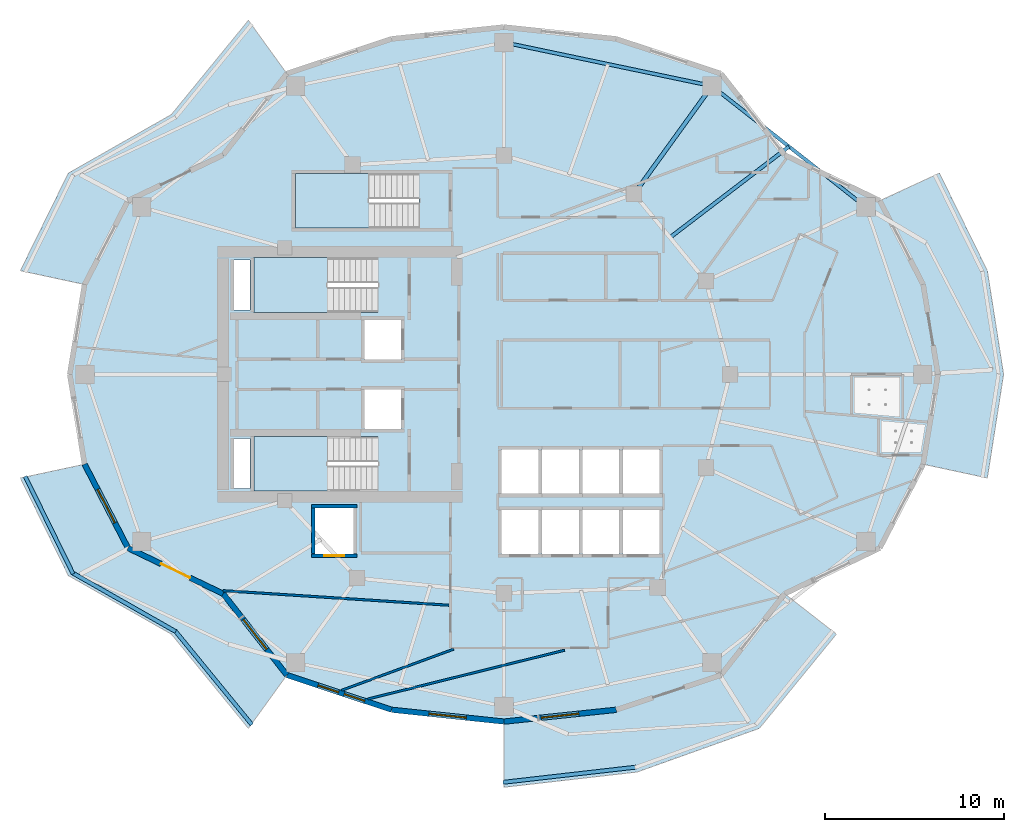
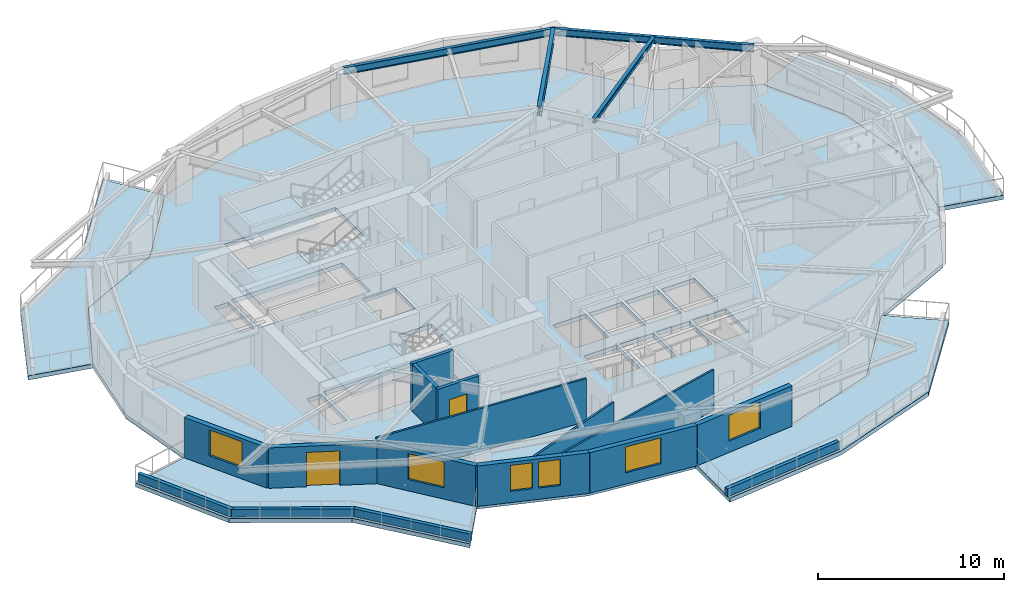
# One storey, part 2 of 14: 16 walls, 8 slabs, 6 windows, 4 beams, 2 doors, 8 openings, 3 elements without a shape of their own.
"""IFC4 building model written with IfcOpenShell, lengths in metres."""

from ifc_helpers import new_model, si_unit, direction, frame, frame_2d, origin, origin_2d, place, context, subcontext, project, spatial, polyline, rectangle, i_section, outline, extrude, material, layer, layer_set, material_profile, profile_set, type_object, element, fill, aggregate, save


model = new_model("IFC4")

# Units and contexts
model_context = context("Model", 3, precision=1e-05, world=origin(), true_north=direction((0.0, 1.0)))
body_context = subcontext(model_context, "Body", "Model", "MODEL_VIEW")
ifc_project = project(units=[si_unit("LENGTHUNIT", "METRE"), si_unit("AREAUNIT", "SQUARE_METRE"), si_unit("VOLUMEUNIT", "CUBIC_METRE"), si_unit("PLANEANGLEUNIT", "RADIAN"), si_unit("MASSUNIT", "GRAM", prefix="KILO")], contexts=[model_context])

# Site, building, storey
site_placement = place(None, origin())
site = spatial("IfcSite", under=ifc_project, at=site_placement, CompositionType="ELEMENT")
building_placement = place(site_placement, origin())
building = spatial("IfcBuilding", under=site, at=building_placement, Name="Kolvaren Gate Tower and Convention Centre", CompositionType="ELEMENT")
storey_placement = place(building_placement, frame((0.0, 0.0, 132.5)))
storey = spatial("IfcBuildingStorey", under=building, at=storey_placement, Name="L33", CompositionType="ELEMENT", Elevation=132.5)

# Beams
ifc_material_1 = material(Name="Structural steel ASTM A992 Grade 345 MPa", Category="steel")
ifc_material_profile_1 = material_profile(ifc_material_1, i_section(OverallWidth=0.22998046875, OverallDepth=0.616943359375, WebThickness=0.01318359375, FlangeThickness=0.022216796875, at=origin_2d()), Name="W610X140")
ifc_profile_set_1 = profile_set([ifc_material_profile_1], Name="Structural steel ASTM A992 Grade 345 MPa")
beam_type_1 = type_object("IfcBeamType", Name="STR-BM-W610X140", PredefinedType="BEAM", material=ifc_profile_set_1)
beam_1_placement = place(storey_placement, frame((37.381591796875, 37.054931640625, 2.821533203125), z_axis=(0.585208050015, 0.810883184064, 0.0), x_axis=(-0.810883184064, 0.585208050015, 0.0)))
element("IfcBeam", 1, at=beam_1_placement, inside=storey, type_object=beam_type_1, Name="Tower L33 Radial Floor Girder RB-03", PredefinedType="BEAM", context=body_context, shape_type="SweptSolid", body=[
    extrude(i_section(OverallWidth=0.22998046875, OverallDepth=0.616943359375, WebThickness=0.01318359375, FlangeThickness=0.022216796875, at=origin_2d()), origin(), (0.0, 0.0, 1.0), 7.416015625),
])
ifc_material_profile_2 = material_profile(ifc_material_1, i_section(OverallWidth=0.205078125, OverallDepth=0.31005859375, WebThickness=0.009521484375, FlangeThickness=0.016357421875, at=origin_2d()), Name="W310X74")
ifc_profile_set_2 = profile_set([ifc_material_profile_2], Name="Structural steel ASTM A992 Grade 345 MPa")
beam_type_2 = type_object("IfcBeamType", Name="STR-JS-W310X74", PredefinedType="JOIST", material=ifc_profile_set_2)
beam_2_placement = place(storey_placement, frame((39.3818359375, 34.627197265625, 2.97509765625), z_axis=(0.79454218325, 0.607208958297, 0.0), x_axis=(-0.607208958297, 0.79454218325, 0.0)))
element("IfcBeam", 2, at=beam_2_placement, inside=storey, type_object=beam_type_2, Name="Tower L33 Secondary Composite Floor Joist J-02.1", PredefinedType="JOIST", context=body_context, shape_type="SweptSolid", body=[
    extrude(i_section(OverallWidth=0.205078125, OverallDepth=0.31005859375, WebThickness=0.009521484375, FlangeThickness=0.016357421875, at=origin_2d()), origin(), (0.0, 0.0, 1.0), 8.34326171875),
])
ifc_material_profile_3 = material_profile(ifc_material_1, i_section(OverallWidth=0.194091796875, OverallDepth=0.468994140625, WebThickness=0.0126953125, FlangeThickness=0.0205078125, at=origin_2d()), Name="W460X106")
ifc_profile_set_3 = profile_set([ifc_material_profile_3], Name="Structural steel ASTM A992 Grade 345 MPa")
beam_type_3 = type_object("IfcBeamType", Name="STR-SP-W460X106", PredefinedType="SPANDREL", material=ifc_profile_set_3)
beam_3_placement = place(storey_placement, frame((50.30029296875, 36.318603515625, 2.8955078125), z_axis=(-0.785907610354, 0.618343939881, 0.0), x_axis=(-0.618343939881, -0.785907610354, 0.0)))
element("IfcBeam", 3, at=beam_3_placement, inside=storey, type_object=beam_type_3, Name="Tower L33 Perimeter Spandrel Beam SP-02", PredefinedType="SPANDREL", context=body_context, shape_type="SweptSolid", body=[
    extrude(i_section(OverallWidth=0.194091796875, OverallDepth=0.468994140625, WebThickness=0.0126953125, FlangeThickness=0.0205078125, at=origin_2d()), origin(), (0.0, 0.0, 1.0), 10.915771484375),
])
beam_4_placement = place(storey_placement, frame((41.721435546875, 43.068359375, 2.8955078125), z_axis=(-0.978714746947, 0.205225349578, 0.0), x_axis=(-0.205225349578, -0.978714746947, 0.0)))
element("IfcBeam", 4, at=beam_4_placement, inside=storey, type_object=beam_type_3, Name="Tower L33 Perimeter Spandrel Beam SP-03", PredefinedType="SPANDREL", context=body_context, shape_type="SweptSolid", body=[
    extrude(i_section(OverallWidth=0.194091796875, OverallDepth=0.468994140625, WebThickness=0.0126953125, FlangeThickness=0.0205078125, at=origin_2d()), origin(), (0.0, 0.0, 1.0), 11.8486328125),
])

# Slabs
ifc_material_2 = material(Name="Concrete C50/60", Category="concrete")
ifc_layer_1 = layer(ifc_material_2, 0.27001953125)
ifc_layer_set_1 = layer_set([ifc_layer_1], Name="Concrete C50/60")
slab_type_1 = type_object("IfcSlabType", Name="STR-SL-BALC-270", PredefinedType="FLOOR", material=ifc_layer_set_1)
slab_1_placement = place(storey_placement, frame((0.0, 0.0, -0.27001953125)))
element("IfcSlab", 5, at=slab_1_placement, inside=storey, type_object=slab_type_1, Name="Tower L33 Planted Balcony Terrace Slab 1 (West)", PredefinedType="FLOOR", context=body_context, shape_type="SweptSolid", body=[
    extrude(outline(polyline([(18.03125, 43.757568359375), (14.481201171875, 39.222900390625), (9.177978515625, 36.675048828125), (6.76171875, 32.008056640625), (3.18310546875, 32.775146484375), (5.855224609375, 38.209716796875), (11.597412109375, 41.476318359375), (15.889404296875, 46.725341796875), (18.03125, 43.757568359375)])), origin(), (0.0, 0.0, 1.0), 0.27001953125),
])
slab_2_placement = place(storey_placement, frame((0.0, 0.0, -0.27001953125)))
element("IfcSlab", 6, at=slab_2_placement, inside=storey, type_object=slab_type_1, Name="Tower L33 Planted Balcony Terrace Slab 2 (West)", PredefinedType="FLOOR", context=body_context, shape_type="SweptSolid", body=[
    extrude(outline(polyline([(6.76171875, 21.991943359375), (9.177978515625, 17.324951171875), (14.481201171875, 14.777099609375), (18.03125, 10.242431640625), (15.889404296875, 7.274658203125), (11.597412109375, 12.523681640625), (5.855224609375, 15.790283203125), (3.18310546875, 21.224853515625), (6.76171875, 21.991943359375)])), origin(), (0.0, 0.0, 1.0), 0.27001953125),
])
slab_3_placement = place(storey_placement, frame((0.0, 0.0, -0.27001953125)))
element("IfcSlab", 7, at=slab_3_placement, inside=storey, type_object=slab_type_1, Name="Tower L33 Planted Balcony Terrace Slab 3 (South)", PredefinedType="FLOOR", context=body_context, shape_type="SweptSolid", body=[
    extrude(outline(polyline([(30.125, 7.64990234375), (36.38525390625, 8.309326171875), (42.21875, 10.242431640625), (45.768798828125, 14.777099609375), (48.652587890625, 12.523681640625), (44.360595703125, 7.274658203125), (37.547607421875, 4.8388671875), (30.125, 3.989990234375), (30.125, 7.64990234375)])), origin(), (0.0, 0.0, 1.0), 0.27001953125),
])
slab_4_placement = place(storey_placement, frame((0.0, 0.0, -0.27001953125)))
element("IfcSlab", 8, at=slab_4_placement, inside=storey, type_object=slab_type_1, Name="Tower L33 Planted Balcony Terrace Slab 4 (East)", PredefinedType="FLOOR", context=body_context, shape_type="SweptSolid", body=[
    extrude(outline(polyline([(53.48828125, 21.991943359375), (54.3125, 27.0), (53.48828125, 32.008056640625), (51.072021484375, 36.675048828125), (54.394775390625, 38.209716796875), (57.06689453125, 32.775146484375), (57.972412109375, 27.0), (57.06689453125, 21.224853515625), (53.48828125, 21.991943359375)])), origin(), (0.0, 0.0, 1.0), 0.27001953125),
])
ifc_material_3 = material(Name="Concrete C40/50", Category="concrete")
ifc_layer_2 = layer(ifc_material_3, 0.27001953125)
ifc_layer_set_2 = layer_set([ifc_layer_2], Name="Concrete C40/50")
slab_type_2 = type_object("IfcSlabType", Name="STR-SL-FLR-270", PredefinedType="FLOOR", material=ifc_layer_set_2)
slab_5_placement = place(storey_placement, frame((0.0, 0.0, -0.27001953125)))
element("IfcSlab", 9, at=slab_5_placement, inside=storey, type_object=slab_type_2, Name="Tower L33 Structural Floor Slab", PredefinedType="FLOOR", context=body_context, shape_type="SweptSolid", body=[
    extrude(outline(polyline([(54.3125, 27.0), (53.48828125, 32.008056640625), (51.072021484375, 36.675048828125), (45.768798828125, 39.222900390625), (42.21875, 43.757568359375), (36.38525390625, 45.690673828125), (30.125, 46.35009765625), (23.86474609375, 45.690673828125), (18.03125, 43.757568359375), (14.481201171875, 39.222900390625), (9.177978515625, 36.675048828125), (6.76171875, 32.008056640625), (5.9375, 27.0), (6.76171875, 21.991943359375), (9.177978515625, 17.324951171875), (14.481201171875, 14.777099609375), (18.03125, 10.242431640625), (23.86474609375, 8.309326171875), (30.125, 7.64990234375), (36.38525390625, 8.309326171875), (42.21875, 10.242431640625), (45.768798828125, 14.777099609375), (51.072021484375, 17.324951171875), (53.48828125, 21.991943359375), (54.3125, 27.0)]), holes=[polyline([(36.75, 17.0), (36.75, 19.449951171875), (38.800048828125, 19.449951171875), (38.800048828125, 17.0), (36.75, 17.0)]), polyline([(36.75, 20.35009765625), (36.75, 22.800048828125), (38.800048828125, 22.800048828125), (38.800048828125, 20.35009765625), (36.75, 20.35009765625)]), polyline([(34.5, 17.0), (34.5, 19.449951171875), (36.550048828125, 19.449951171875), (36.550048828125, 17.0), (34.5, 17.0)]), polyline([(34.5, 20.35009765625), (34.5, 22.800048828125), (36.550048828125, 22.800048828125), (36.550048828125, 20.35009765625), (34.5, 20.35009765625)]), polyline([(32.25, 17.0), (32.25, 19.449951171875), (34.300048828125, 19.449951171875), (34.300048828125, 17.0), (32.25, 17.0)]), polyline([(32.25, 20.35009765625), (32.25, 22.800048828125), (34.300048828125, 22.800048828125), (34.300048828125, 20.35009765625), (32.25, 20.35009765625)]), polyline([(30.0, 17.0), (30.0, 19.449951171875), (32.050048828125, 19.449951171875), (32.050048828125, 17.0), (30.0, 17.0)]), polyline([(30.0, 20.35009765625), (30.0, 22.800048828125), (32.050048828125, 22.800048828125), (32.050048828125, 20.35009765625), (30.0, 20.35009765625)]), polyline([(25.39990234375, 38.199951171875), (25.39990234375, 35.159912109375), (18.5, 35.159912109375), (18.5, 38.199951171875), (25.39990234375, 38.199951171875)]), polyline([(22.35009765625, 23.9599609375), (22.35009765625, 26.159912109375), (24.39990234375, 26.159912109375), (24.39990234375, 23.9599609375), (22.35009765625, 23.9599609375)]), polyline([(22.35009765625, 27.840087890625), (22.35009765625, 30.0400390625), (24.39990234375, 30.0400390625), (24.39990234375, 27.840087890625), (22.35009765625, 27.840087890625)]), polyline([(23.10009765625, 23.5400390625), (23.10009765625, 20.5), (16.199951171875, 20.5), (16.199951171875, 23.5400390625), (23.10009765625, 23.5400390625)]), polyline([(23.10009765625, 33.5), (23.10009765625, 30.4599609375), (16.199951171875, 30.4599609375), (16.199951171875, 33.5), (23.10009765625, 33.5)]), polyline([(19.60009765625, 17.0), (19.60009765625, 19.550048828125), (21.75, 19.550048828125), (21.75, 17.0), (19.60009765625, 17.0)]), polyline([(15.080078125, 20.6298828125), (15.080078125, 23.419921875), (15.969970703125, 23.419921875), (15.969970703125, 20.6298828125), (15.080078125, 20.6298828125)]), polyline([(15.080078125, 30.580078125), (15.080078125, 33.3701171875), (15.969970703125, 33.3701171875), (15.969970703125, 30.580078125), (15.080078125, 30.580078125)])]), origin(), (0.0, 0.0, 1.0), 0.27001953125),
])

# Stair, slab
stair_type = type_object("IfcStairType", Name="STR-STAIR-CORE", PredefinedType="HALF_TURN_STAIR", material=ifc_material_2)
stair_1_placement = place(storey_placement, origin())
stair_1 = element("IfcStair", 10, at=stair_1_placement, inside=storey, type_object=stair_type, Name="L33 Tower North Exit Stair ST-T1", PredefinedType="HALF_TURN_STAIR")
ifc_layer_3 = layer(ifc_material_2, 0.199951171875)
ifc_layer_set_3 = layer_set([ifc_layer_3], Name="Concrete C50/60")
slab_type_3 = type_object("IfcSlabType", Name="STR-SL-LAND-200", PredefinedType="LANDING", material=ifc_layer_set_3)
slab_6_placement = place(storey_placement, frame((0.0, 0.0, 1.5)))
slab_6 = element("IfcSlab", 11, at=slab_6_placement, type_object=slab_type_3, Name="ST-T1 landing 1", PredefinedType="LANDING", context=body_context, shape_type="SweptSolid", body=[
    extrude(outline(polyline([(20.31005859375, 33.5), (16.199951171875, 33.5), (16.199951171875, 30.4599609375), (20.31005859375, 30.4599609375), (20.31005859375, 33.5)])), origin(), (0.0, 0.0, 1.0), 0.199951171875),
])
aggregate(stair_1, [slab_6])

stair_2_placement = place(storey_placement, origin())
stair_2 = element("IfcStair", 12, at=stair_2_placement, inside=storey, type_object=stair_type, Name="L33 Tower South Exit Stair ST-T2", PredefinedType="HALF_TURN_STAIR")
slab_7_placement = place(storey_placement, frame((0.0, 0.0, 1.5)))
slab_7 = element("IfcSlab", 13, at=slab_7_placement, type_object=slab_type_3, Name="ST-T2 landing 1", PredefinedType="LANDING", context=body_context, shape_type="SweptSolid", body=[
    extrude(outline(polyline([(20.31005859375, 23.5400390625), (16.199951171875, 23.5400390625), (16.199951171875, 20.5), (20.31005859375, 20.5), (20.31005859375, 23.5400390625)])), origin(), (0.0, 0.0, 1.0), 0.199951171875),
])
aggregate(stair_2, [slab_7])

stair_3_placement = place(storey_placement, origin())
stair_3 = element("IfcStair", 14, at=stair_3_placement, inside=storey, type_object=stair_type, Name="L33 Tower Mid-Zone Exit Stair ST-T3", PredefinedType="HALF_TURN_STAIR")
slab_8_placement = place(storey_placement, frame((0.0, 0.0, 1.5)))
slab_8 = element("IfcSlab", 15, at=slab_8_placement, type_object=slab_type_3, Name="ST-T3 landing 1", PredefinedType="LANDING", context=body_context, shape_type="SweptSolid", body=[
    extrude(outline(polyline([(22.610107421875, 38.199951171875), (18.5, 38.199951171875), (18.5, 35.159912109375), (22.610107421875, 35.159912109375), (22.610107421875, 38.199951171875)])), origin(), (0.0, 0.0, 1.0), 0.199951171875),
])
aggregate(stair_3, [slab_8])

# Walls
ifc_material_4 = material(Name="Fire-Rated Acoustic Gypsum Stud Partition", Category="gypsum")
ifc_layer_4 = layer(ifc_material_4, 0.1201171875)
ifc_layer_set_4 = layer_set([ifc_layer_4], Name="Fire-Rated Acoustic Gypsum Stud Partition")
wall_type_1 = type_object("IfcWallType", Name="ARCH-WL-PART-120", PredefinedType="PARTITIONING", material=ifc_layer_set_4)
wall_1_placement = place(storey_placement, frame((14.479248046875, 14.946533203125, 0.0), z_axis=(0.0, 0.0, 1.0), x_axis=(0.997930277746, -0.064305215633, 0.0)))
element("IfcWall", 16, at=wall_1_placement, inside=storey, type_object=wall_type_1, Name="Interior Partition WL-L33-INT-050", PredefinedType="PARTITIONING", context=body_context, shape_type="SweptSolid", body=[
    extrude(rectangle(XDim=12.619873046875, YDim=0.1201171875, at=frame_2d((6.31005859375, 0.0))), origin(), (0.0, 0.0, 1.0), 2.81201171875),
])
wall_2_placement = place(storey_placement, frame((21.078369140625, 9.392822265625, 0.0), z_axis=(0.0, 0.0, 1.0), x_axis=(0.938728109135, 0.344658580511, 0.0)))
element("IfcWall", 17, at=wall_2_placement, inside=storey, type_object=wall_type_1, Name="Interior Partition WL-L33-INT-051", PredefinedType="PARTITIONING", context=body_context, shape_type="SweptSolid", body=[
    extrude(rectangle(XDim=6.6591796875, YDim=0.1201171875, at=frame_2d((3.32958984375, 0.0))), origin(), (0.0, 0.0, 1.0), 2.653076171875),
])
wall_3_placement = place(storey_placement, frame((22.543212890625, 8.907470703125, 0.0), z_axis=(0.0, 0.0, 1.0), x_axis=(0.970574423873, 0.240801344938, 0.0)))
element("IfcWall", 18, at=wall_3_placement, inside=storey, type_object=wall_type_1, Name="Interior Partition WL-L33-INT-054", PredefinedType="PARTITIONING", context=body_context, shape_type="SweptSolid", body=[
    extrude(rectangle(XDim=11.297607421875, YDim=0.1201171875, at=frame_2d((5.64892578125, 0.0))), origin(), (0.0, 0.0, 1.0), 2.653076171875),
])
ifc_material_5 = material(Name="Piedmont Cream Honed Limestone Cladding", Category="masonry")
ifc_layer_5 = layer(ifc_material_5, 0.219970703125)
ifc_layer_set_5 = layer_set([ifc_layer_5], Name="Piedmont Cream Honed Limestone Cladding")
wall_type_2 = type_object("IfcWallType", Name="ARCH-WL-PLANTER-220", PredefinedType="PARAPET", material=ifc_layer_set_5)
wall_4_placement = place(storey_placement, frame((3.44873046875, 21.31298828125, 0.0), z_axis=(0.0, 0.0, 1.0), x_axis=(0.441269631716, -0.897374566235, 0.0)))
element("IfcWall", 19, at=wall_4_placement, inside=storey, type_object=wall_type_2, Name="Vertical-Forest Balcony Stone Planter Kerb PK-L33-2.1", PredefinedType="PARAPET", context=body_context, shape_type="SweptSolid", body=[
    extrude(rectangle(XDim=6.05615234375, YDim=0.219970703125, at=frame_2d((3.028076171875, 0.0))), origin(), (0.0, 0.0, 1.0), 0.52001953125),
])
wall_5_placement = place(storey_placement, frame((6.095458984375, 15.934326171875, 0.0), z_axis=(0.0, 0.0, 1.0), x_axis=(0.869187658335, -0.494482370361, 0.0)))
element("IfcWall", 20, at=wall_5_placement, inside=storey, type_object=wall_type_2, Name="Vertical-Forest Balcony Stone Planter Kerb PK-L33-2.2", PredefinedType="PARAPET", context=body_context, shape_type="SweptSolid", body=[
    extrude(rectangle(XDim=6.606201171875, YDim=0.219970703125, at=frame_2d((3.30322265625, 0.0))), origin(), (0.0, 0.0, 1.0), 0.52001953125),
])
wall_6_placement = place(storey_placement, frame((11.791015625, 12.725830078125, 0.0), z_axis=(0.0, 0.0, 1.0), x_axis=(0.633002467947, -0.77414977593, 0.0)))
element("IfcWall", 21, at=wall_6_placement, inside=storey, type_object=wall_type_2, Name="Vertical-Forest Balcony Stone Planter Kerb PK-L33-2.3", PredefinedType="PARAPET", context=body_context, shape_type="SweptSolid", body=[
    extrude(rectangle(XDim=6.7802734375, YDim=0.219970703125, at=frame_2d((3.39013671875, 0.0))), origin(), (0.0, 0.0, 1.0), 0.52001953125),
])
wall_7_placement = place(storey_placement, frame((30.07958984375, 4.266357421875, 0.0), z_axis=(0.0, 0.0, 1.0), x_axis=(0.993527615836, 0.11359082961, 0.0)))
element("IfcWall", 22, at=wall_7_placement, inside=storey, type_object=wall_type_2, Name="Vertical-Forest Balcony Stone Planter Kerb PK-L33-3.1", PredefinedType="PARAPET", context=body_context, shape_type="SweptSolid", body=[
    extrude(rectangle(XDim=7.470947265625, YDim=0.219970703125, at=frame_2d((3.7353515625, 0.0))), origin(), (0.0, 0.0, 1.0), 0.52001953125),
])
ifc_material_6 = material(Name="Autoclaved Aerated Masonry Blockwork Class 4 (4.0 MPa)", Category="masonry")
ifc_layer_6 = layer(ifc_material_6, 0.199951171875)
ifc_layer_set_6 = layer_set([ifc_layer_6], Name="Autoclaved Aerated Masonry Blockwork Class 4 (4.0 MPa)")
wall_type_3 = type_object("IfcWallType", Name="ARCH-WL-SHAFT-200", PredefinedType="SOLIDWALL", material=ifc_layer_set_6)
wall_8_placement = place(storey_placement, frame((19.39990234375, 19.64990234375, 0.0), z_axis=(0.0, 0.0, 1.0), x_axis=(1.0, 0.0, 0.0)))
element("IfcWall", 23, at=wall_8_placement, inside=storey, type_object=wall_type_3, Name="Elevator SV-01 L33 Fire Shaft Wall N", PredefinedType="SOLIDWALL", context=body_context, shape_type="SweptSolid", body=[
    extrude(rectangle(XDim=2.550048828125, YDim=0.199951171875, at=frame_2d((1.27490234375, 0.0))), origin(), (0.0, 0.0, 1.0), 3.1298828125),
])

# Wall, opening, door
wall_9_placement = place(storey_placement, frame((19.39990234375, 16.89990234375, 0.0), z_axis=(0.0, 0.0, 1.0), x_axis=(1.0, 0.0, 0.0)))
wall_9 = element("IfcWall", 24, at=wall_9_placement, inside=storey, type_object=wall_type_3, Name="Elevator SV-01 L33 Fire Shaft Wall S", PredefinedType="SOLIDWALL", context=body_context, shape_type="SweptSolid", body=[
    extrude(rectangle(XDim=2.550048828125, YDim=0.199951171875, at=frame_2d((1.27490234375, 0.0))), origin(), (0.0, 0.0, 1.0), 3.1298828125),
])
opening_1_placement = place(wall_9_placement, frame((0.72509765625, 0.0, 0.0)))
opening_1 = element("IfcOpeningElement", 25, at=opening_1_placement, cuts=wall_9, Name="Opening LD", PredefinedType="OPENING", context=body_context, shape_type="SweptSolid", body=[
    extrude(rectangle(XDim=1.10009765625, YDim=2.199951171875, at=frame_2d((0.550048828125, 1.10009765625))), frame((0.0, 0.10986328125, 0.0), z_axis=(0.0, -1.0, 0.0), x_axis=(1.0, 0.0, 0.0)), (0.0, 0.0, 1.0), 0.219970703125),
])
ifc_material_7 = material(Name="Brushed Stainless Steel Grade 316L", Category="steel")
door_type_1 = type_object("IfcDoorType", Name="ARCH-DR-LIFT-1100", OperationType="SLIDING_TO_LEFT", PredefinedType="DOOR", material=ifc_material_7)
door_1_placement = place(opening_1_placement, origin())
door_1 = element("IfcDoor", 26, at=door_1_placement, inside=storey, type_object=door_type_1, Name="Elevator SV-01 L33 Sliding Landing Door", OperationType="SLIDING_TO_LEFT", OverallHeight=2.199951171875, OverallWidth=1.10009765625, PredefinedType="DOOR", context=body_context, shape_type="SweptSolid", body=[
    extrude(rectangle(XDim=1.10009765625, YDim=2.199951171875, at=frame_2d((0.550048828125, 1.10009765625))), frame((0.0, 0.02490234375, 0.0), z_axis=(0.0, -1.0, 0.0), x_axis=(1.0, 0.0, 0.0)), (0.0, 0.0, 1.0), 0.050048828125),
])
fill(opening_1, door_1)

# Wall
wall_10_placement = place(storey_placement, frame((19.5, 17.010009765625, 0.0), z_axis=(0.0, 0.0, 1.0), x_axis=(0.0, 1.0, 0.0)))
element("IfcWall", 27, at=wall_10_placement, inside=storey, type_object=wall_type_3, Name="Elevator SV-01 L33 Fire Shaft Wall W", PredefinedType="SOLIDWALL", context=body_context, shape_type="SweptSolid", body=[
    extrude(rectangle(XDim=2.530029296875, YDim=0.199951171875, at=frame_2d((1.26513671875, 0.0))), origin(), (0.0, 0.0, 1.0), 3.1298828125),
])

# Wall, opening, window
ifc_layer_7 = layer(ifc_material_5, 0.300048828125)
ifc_layer_set_7 = layer_set([ifc_layer_7], Name="Piedmont Cream Honed Limestone Cladding")
wall_type_4 = type_object("IfcWallType", Name="ARCH-WL-STONE-300", PredefinedType="SOLIDWALL", material=ifc_layer_set_7)
wall_11_placement = place(storey_placement, frame((6.76171875, 21.991943359375, 0.0), z_axis=(0.0, 0.0, 1.0), x_axis=(0.459767899643, -0.888039119892, 0.0)))
wall_11 = element("IfcWall", 28, at=wall_11_placement, inside=storey, type_object=wall_type_4, Name="Tower L33 Honed Stone Spandrel Wall EW-13", PredefinedType="SOLIDWALL", context=body_context, shape_type="SweptSolid", body=[
    extrude(rectangle(XDim=5.25537109375, YDim=0.300048828125, at=frame_2d((2.627685546875, 0.0))), origin(), (0.0, 0.0, 1.0), 2.653076171875),
])
opening_2_placement = place(wall_11_placement, frame((1.577880859375, 0.0, 0.739990234375)))
opening_2 = element("IfcOpeningElement", 29, at=opening_2_placement, cuts=wall_11, Name="Opening W-02", PredefinedType="OPENING", context=body_context, shape_type="SweptSolid", body=[
    extrude(rectangle(XDim=2.10009765625, YDim=1.699951171875, at=frame_2d((1.050048828125, 0.85009765625))), frame((0.0, 0.159912109375, 0.0), z_axis=(0.0, -1.0, 0.0), x_axis=(1.0, 0.0, 0.0)), (0.0, 0.0, 1.0), 0.320068359375),
])
ifc_material_8 = material(Name="Low-E Triple Insulated Glazing Unit 44 mm", Category="glass")
window_type_1 = type_object("IfcWindowType", Name="ARCH-WN-HTL-2100", PartitioningType="SINGLE_PANEL", PredefinedType="WINDOW", material=ifc_material_8)
window_1_placement = place(opening_2_placement, origin())
window_1 = element("IfcWindow", 30, at=window_1_placement, inside=storey, type_object=window_type_1, Name="Tower L33 Punched Stone Facade Window W-13", OverallHeight=1.699951171875, OverallWidth=2.10009765625, PartitioningType="SINGLE_PANEL", PredefinedType="WINDOW", context=body_context, shape_type="SweptSolid", body=[
    extrude(rectangle(XDim=2.10009765625, YDim=1.699951171875, at=frame_2d((1.050048828125, 0.85009765625))), frame((0.0, 0.030029296875, 0.0), z_axis=(0.0, -1.0, 0.0), x_axis=(1.0, 0.0, 0.0)), (0.0, 0.0, 1.0), 0.06005859375),
])
fill(opening_2, window_1)

# Wall, opening, door
wall_12_placement = place(storey_placement, frame((9.177978515625, 17.324951171875, 0.0), z_axis=(0.0, 0.0, 1.0), x_axis=(0.901370184739, -0.433049408339, 0.0)))
wall_12 = element("IfcWall", 31, at=wall_12_placement, inside=storey, type_object=wall_type_4, Name="Tower L33 Honed Stone Spandrel Wall EW-14", PredefinedType="SOLIDWALL", context=body_context, shape_type="SweptSolid", body=[
    extrude(rectangle(XDim=5.883544921875, YDim=0.300048828125, at=frame_2d((2.94189453125, 0.0))), origin(), (0.0, 0.0, 1.0), 2.653076171875),
])
opening_3_placement = place(wall_12_placement, frame((2.0419921875, 0.0, 0.0)))
opening_3 = element("IfcOpeningElement", 32, at=opening_3_placement, cuts=wall_12, Name="Opening DB-01", PredefinedType="OPENING", context=body_context, shape_type="SweptSolid", body=[
    extrude(rectangle(XDim=1.800048828125, YDim=2.25, at=frame_2d((0.89990234375, 1.125))), frame((0.0, 0.159912109375, 0.0), z_axis=(0.0, -1.0, 0.0), x_axis=(1.0, 0.0, 0.0)), (0.0, 0.0, 1.0), 0.320068359375),
])
ifc_material_9 = material(Name="Anodized Architectural Aluminium Alloy 6063-T6", Category="aluminium")
door_type_2 = type_object("IfcDoorType", Name="ARCH-DR-BALC-1800", OperationType="SLIDING_TO_LEFT", PredefinedType="DOOR", material=ifc_material_9)
door_2_placement = place(opening_3_placement, frame((1.800048828125, 0.0, 0.0), z_axis=(0.0, 0.0, 1.0), x_axis=(-1.0, 0.0, 0.0)))
door_2 = element("IfcDoor", 33, at=door_2_placement, inside=storey, type_object=door_type_2, Name="Planted Sky Terrace Access Door DB-L33-14", OperationType="SLIDING_TO_LEFT", OverallHeight=2.25, OverallWidth=1.800048828125, PredefinedType="DOOR", context=body_context, shape_type="SweptSolid", body=[
    extrude(rectangle(XDim=1.800048828125, YDim=2.25, at=frame_2d((0.89990234375, 1.125))), frame((0.0, 0.02490234375, 0.0), z_axis=(0.0, -1.0, 0.0), x_axis=(1.0, 0.0, 0.0)), (0.0, 0.0, 1.0), 0.050048828125),
])
fill(opening_3, door_2)

# Wall, opening, window
wall_13_placement = place(storey_placement, frame((14.481201171875, 14.777099609375, 0.0), z_axis=(0.0, 0.0, 1.0), x_axis=(0.616435134162, -0.787405693001, 0.0)))
wall_13 = element("IfcWall", 34, at=wall_13_placement, inside=storey, type_object=wall_type_4, Name="Tower L33 Honed Stone Spandrel Wall EW-15", PredefinedType="SOLIDWALL", context=body_context, shape_type="SweptSolid", body=[
    extrude(rectangle(XDim=5.759033203125, YDim=0.300048828125, at=frame_2d((2.87939453125, 0.0))), origin(), (0.0, 0.0, 1.0), 2.653076171875),
])
opening_4_placement = place(wall_13_placement, frame((1.8291015625, 0.0, 0.739990234375)))
opening_4 = element("IfcOpeningElement", 35, at=opening_4_placement, cuts=wall_13, Name="Opening W-02", PredefinedType="OPENING", context=body_context, shape_type="SweptSolid", body=[
    extrude(rectangle(XDim=2.10009765625, YDim=1.699951171875, at=frame_2d((1.050048828125, 0.85009765625))), frame((0.0, 0.159912109375, 0.0), z_axis=(0.0, -1.0, 0.0), x_axis=(1.0, 0.0, 0.0)), (0.0, 0.0, 1.0), 0.320068359375),
])
window_2_placement = place(opening_4_placement, origin())
window_2 = element("IfcWindow", 36, at=window_2_placement, inside=storey, type_object=window_type_1, Name="Tower L33 Punched Stone Facade Window W-15", OverallHeight=1.699951171875, OverallWidth=2.10009765625, PartitioningType="SINGLE_PANEL", PredefinedType="WINDOW", context=body_context, shape_type="SweptSolid", body=[
    extrude(rectangle(XDim=2.10009765625, YDim=1.699951171875, at=frame_2d((1.050048828125, 0.85009765625))), frame((0.0, 0.030029296875, 0.0), z_axis=(0.0, -1.0, 0.0), x_axis=(1.0, 0.0, 0.0)), (0.0, 0.0, 1.0), 0.06005859375),
])
fill(opening_4, window_2)

# Wall, openings, windows
wall_14_placement = place(storey_placement, frame((18.03125, 10.242431640625, 0.0), z_axis=(0.0, 0.0, 1.0), x_axis=(0.949238009374, -0.314558741032, 0.0)))
wall_14 = element("IfcWall", 37, at=wall_14_placement, inside=storey, type_object=wall_type_4, Name="Tower L33 Honed Stone Spandrel Wall EW-16", PredefinedType="SOLIDWALL", context=body_context, shape_type="SweptSolid", body=[
    extrude(rectangle(XDim=6.1455078125, YDim=0.300048828125, at=frame_2d((3.07275390625, 0.0))), origin(), (0.0, 0.0, 1.0), 2.653076171875),
])
opening_5_placement = place(wall_14_placement, frame((1.82958984375, 0.0, 0.739990234375)))
opening_5 = element("IfcOpeningElement", 38, at=opening_5_placement, cuts=wall_14, Name="Opening W-04", PredefinedType="OPENING", context=body_context, shape_type="SweptSolid", body=[
    extrude(rectangle(XDim=1.199951171875, YDim=1.699951171875, at=frame_2d((0.60009765625, 0.85009765625))), frame((0.0, 0.159912109375, 0.0), z_axis=(0.0, -1.0, 0.0), x_axis=(1.0, 0.0, 0.0)), (0.0, 0.0, 1.0), 0.320068359375),
])
opening_6_placement = place(wall_14_placement, frame((3.368896484375, 0.0, 0.739990234375)))
opening_6 = element("IfcOpeningElement", 39, at=opening_6_placement, cuts=wall_14, Name="Opening W-04", PredefinedType="OPENING", context=body_context, shape_type="SweptSolid", body=[
    extrude(rectangle(XDim=1.199951171875, YDim=1.699951171875, at=frame_2d((0.60009765625, 0.85009765625))), frame((0.0, 0.159912109375, 0.0), z_axis=(0.0, -1.0, 0.0), x_axis=(1.0, 0.0, 0.0)), (0.0, 0.0, 1.0), 0.320068359375),
])
window_type_2 = type_object("IfcWindowType", Name="ARCH-WN-NARROW-1200", PartitioningType="SINGLE_PANEL", PredefinedType="WINDOW", material=ifc_material_8)
window_3_placement = place(opening_5_placement, origin())
window_3 = element("IfcWindow", 40, at=window_3_placement, inside=storey, type_object=window_type_2, Name="Tower L33 Punched Stone Facade Window W-16", OverallHeight=1.699951171875, OverallWidth=1.199951171875, PartitioningType="SINGLE_PANEL", PredefinedType="WINDOW", context=body_context, shape_type="SweptSolid", body=[
    extrude(rectangle(XDim=1.199951171875, YDim=1.699951171875, at=frame_2d((0.60009765625, 0.85009765625))), frame((0.0, 0.030029296875, 0.0), z_axis=(0.0, -1.0, 0.0), x_axis=(1.0, 0.0, 0.0)), (0.0, 0.0, 1.0), 0.06005859375),
])
fill(opening_5, window_3)
window_4_placement = place(opening_6_placement, origin())
window_4 = element("IfcWindow", 41, at=window_4_placement, inside=storey, type_object=window_type_2, Name="Tower L33 Punched Stone Facade Window W-16B", OverallHeight=1.699951171875, OverallWidth=1.199951171875, PartitioningType="SINGLE_PANEL", PredefinedType="WINDOW", context=body_context, shape_type="SweptSolid", body=[
    extrude(rectangle(XDim=1.199951171875, YDim=1.699951171875, at=frame_2d((0.60009765625, 0.85009765625))), frame((0.0, 0.030029296875, 0.0), z_axis=(0.0, -1.0, 0.0), x_axis=(1.0, 0.0, 0.0)), (0.0, 0.0, 1.0), 0.06005859375),
])
fill(opening_6, window_4)

# Wall, opening, window
wall_15_placement = place(storey_placement, frame((23.86474609375, 8.309326171875, 0.0), z_axis=(0.0, 0.0, 1.0), x_axis=(0.994498012394, -0.104755445421, 0.0)))
wall_15 = element("IfcWall", 42, at=wall_15_placement, inside=storey, type_object=wall_type_4, Name="Tower L33 Honed Stone Spandrel Wall EW-17", PredefinedType="SOLIDWALL", context=body_context, shape_type="SweptSolid", body=[
    extrude(rectangle(XDim=6.294921875, YDim=0.300048828125, at=frame_2d((3.1474609375, 0.0))), origin(), (0.0, 0.0, 1.0), 2.653076171875),
])
opening_7_placement = place(wall_15_placement, frame((2.096923828125, 0.0, 0.739990234375)))
opening_7 = element("IfcOpeningElement", 43, at=opening_7_placement, cuts=wall_15, Name="Opening W-02", PredefinedType="OPENING", context=body_context, shape_type="SweptSolid", body=[
    extrude(rectangle(XDim=2.10009765625, YDim=1.699951171875, at=frame_2d((1.050048828125, 0.85009765625))), frame((0.0, 0.159912109375, 0.0), z_axis=(0.0, -1.0, 0.0), x_axis=(1.0, 0.0, 0.0)), (0.0, 0.0, 1.0), 0.320068359375),
])
window_5_placement = place(opening_7_placement, origin())
window_5 = element("IfcWindow", 44, at=window_5_placement, inside=storey, type_object=window_type_1, Name="Tower L33 Punched Stone Facade Window W-17", OverallHeight=1.699951171875, OverallWidth=2.10009765625, PartitioningType="SINGLE_PANEL", PredefinedType="WINDOW", context=body_context, shape_type="SweptSolid", body=[
    extrude(rectangle(XDim=2.10009765625, YDim=1.699951171875, at=frame_2d((1.050048828125, 0.85009765625))), frame((0.0, 0.030029296875, 0.0), z_axis=(0.0, -1.0, 0.0), x_axis=(1.0, 0.0, 0.0)), (0.0, 0.0, 1.0), 0.06005859375),
])
fill(opening_7, window_5)

wall_16_placement = place(storey_placement, frame((30.125, 7.64990234375, 0.0), z_axis=(0.0, 0.0, 1.0), x_axis=(0.994498012394, 0.104755445421, 0.0)))
wall_16 = element("IfcWall", 45, at=wall_16_placement, inside=storey, type_object=wall_type_4, Name="Tower L33 Honed Stone Spandrel Wall EW-18", PredefinedType="SOLIDWALL", context=body_context, shape_type="SweptSolid", body=[
    extrude(rectangle(XDim=6.294921875, YDim=0.300048828125, at=frame_2d((3.1474609375, 0.0))), origin(), (0.0, 0.0, 1.0), 2.653076171875),
])
opening_8_placement = place(wall_16_placement, frame((2.096923828125, 0.0, 0.739990234375)))
opening_8 = element("IfcOpeningElement", 46, at=opening_8_placement, cuts=wall_16, Name="Opening W-02", PredefinedType="OPENING", context=body_context, shape_type="SweptSolid", body=[
    extrude(rectangle(XDim=2.10009765625, YDim=1.699951171875, at=frame_2d((1.050048828125, 0.85009765625))), frame((0.0, 0.159912109375, 0.0), z_axis=(0.0, -1.0, 0.0), x_axis=(1.0, 0.0, 0.0)), (0.0, 0.0, 1.0), 0.320068359375),
])
window_6_placement = place(opening_8_placement, origin())
window_6 = element("IfcWindow", 47, at=window_6_placement, inside=storey, type_object=window_type_1, Name="Tower L33 Punched Stone Facade Window W-18", OverallHeight=1.699951171875, OverallWidth=2.10009765625, PartitioningType="SINGLE_PANEL", PredefinedType="WINDOW", context=body_context, shape_type="SweptSolid", body=[
    extrude(rectangle(XDim=2.10009765625, YDim=1.699951171875, at=frame_2d((1.050048828125, 0.85009765625))), frame((0.0, 0.030029296875, 0.0), z_axis=(0.0, -1.0, 0.0), x_axis=(1.0, 0.0, 0.0)), (0.0, 0.0, 1.0), 0.06005859375),
])
fill(opening_8, window_6)

save(model, "model.ifc")
